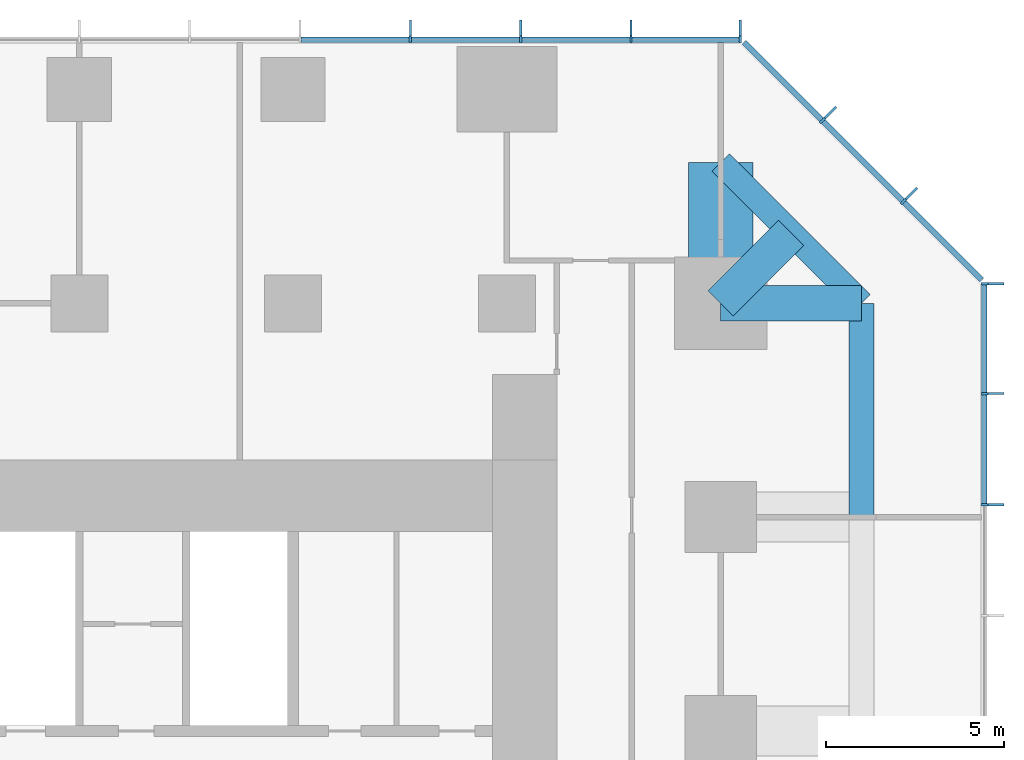
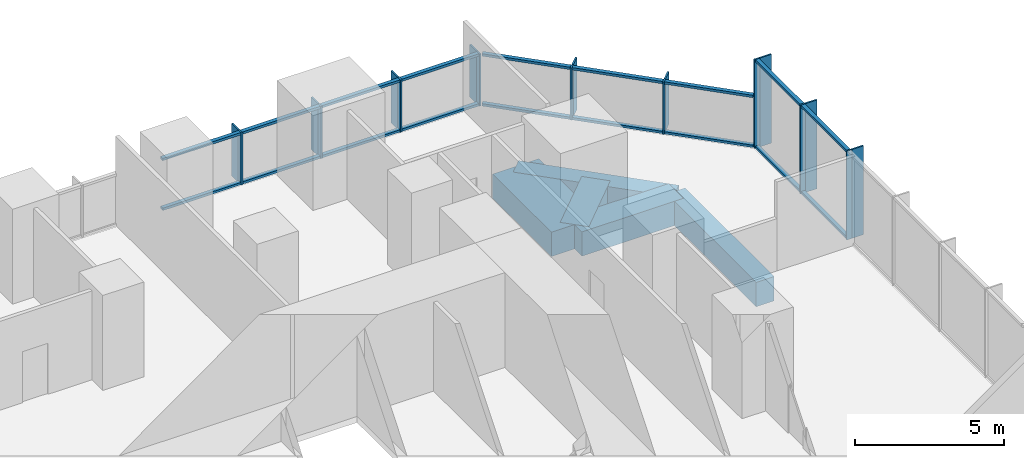
# One storey, part 7 of 12: 36 members, 5 beams, 3 elements without a shape of their own.
"""IFC4 building model written with IfcOpenShell, lengths in metres."""

from ifc_helpers import new_model, si_unit, direction, frame, origin, origin_2d, place, context, subcontext, project, spatial, rectangle, extrude, material, layer, layer_set, material_profile, profile_set, type_object, element, aggregate, save


model = new_model("IFC4")

# Units and contexts
model_context = context("Model", 3, precision=1e-05, world=origin(), true_north=direction((0.0, 1.0)))
body_context = subcontext(model_context, "Body", "Model", "MODEL_VIEW")
ifc_project = project(units=[si_unit("LENGTHUNIT", "METRE"), si_unit("AREAUNIT", "SQUARE_METRE"), si_unit("VOLUMEUNIT", "CUBIC_METRE"), si_unit("PLANEANGLEUNIT", "RADIAN"), si_unit("MASSUNIT", "GRAM", prefix="KILO")], contexts=[model_context])

# Site, building, storey
site_placement = place(None, origin())
site = spatial("IfcSite", under=ifc_project, at=site_placement, CompositionType="ELEMENT")
building_placement = place(site_placement, origin())
building = spatial("IfcBuilding", under=site, at=building_placement, Name="Highveld Stack Headquarters", CompositionType="ELEMENT")
storey_placement = place(building_placement, frame((0.0, 0.0, 160.10009765625)))
storey = spatial("IfcBuildingStorey", under=building, at=storey_placement, Name="L39", CompositionType="ELEMENT", Elevation=160.10009765625)

# Beams
ifc_material_1 = material(Name="Concrete C60/75", Category="concrete")
ifc_material_profile_1 = material_profile(ifc_material_1, rectangle(XDim=1.0, YDim=1.0, at=origin_2d()), Name="RC 1000x1000")
ifc_profile_set_1 = profile_set([ifc_material_profile_1], Name="Concrete C60/75")
beam_type_1 = type_object("IfcBeamType", Name="CANTILEVER RIB RC 1000x1000", PredefinedType="USERDEFINED", material=ifc_profile_set_1)
beam_1_placement = place(storey_placement, frame((24.0, 18.0, -0.75), z_axis=(1.0, 0.0, 0.0), x_axis=(0.0, 1.0, 0.0)))
element("IfcBeam", 1, at=beam_1_placement, inside=storey, type_object=beam_type_1, Name="Cantilever rib 10/H L39", ObjectType="CANTILEVER RIB", PredefinedType="USERDEFINED", context=body_context, shape_type="SweptSolid", body=[
    extrude(rectangle(XDim=1.0, YDim=1.0, at=origin_2d()), origin(), (0.0, 0.0, 1.0), 3.949951171875),
])
beam_2_placement = place(storey_placement, frame((24.0, 18.0, -0.75), z_axis=(0.707106781187, 0.707106781187, 0.0), x_axis=(-0.707106781187, 0.707106781187, 0.0)))
element("IfcBeam", 2, at=beam_2_placement, inside=storey, type_object=beam_type_1, Name="Cantilever rib 10/H L39", ObjectType="CANTILEVER RIB", PredefinedType="USERDEFINED", context=body_context, shape_type="SweptSolid", body=[
    extrude(rectangle(XDim=1.0, YDim=1.0, at=origin_2d()), origin(), (0.0, 0.0, 1.0), 2.793212890625),
])
ifc_material_2 = material(Name="Concrete C60/75", Category="concrete")
ifc_material_profile_2 = material_profile(ifc_material_2, rectangle(XDim=1.800048828125, YDim=1.0, at=origin_2d()), Name="RC 1800x1000")
ifc_profile_set_2 = profile_set([ifc_material_profile_2], Name="Concrete C60/75")
beam_type_2 = type_object("IfcBeamType", Name="CANTILEVER RIB RC 1800x1000", PredefinedType="USERDEFINED", material=ifc_profile_set_2)
beam_3_placement = place(storey_placement, frame((24.0, 18.0, -0.75), z_axis=(0.0, 1.0, 0.0), x_axis=(-1.0, 0.0, 0.0)))
element("IfcBeam", 3, at=beam_3_placement, inside=storey, type_object=beam_type_2, Name="Cantilever rib 10/H L39", ObjectType="CANTILEVER RIB", PredefinedType="USERDEFINED", context=body_context, shape_type="SweptSolid", body=[
    extrude(rectangle(XDim=1.800048828125, YDim=1.0, at=origin_2d()), origin(), (0.0, 0.0, 1.0), 3.949951171875),
])

# Curtain wall, members
ifc_material_3 = material(Name="Aluminium bronze anodised", Category="aluminium")
ifc_layer_1 = layer(ifc_material_3, 0.199951171875)
ifc_layer_set_1 = layer_set([ifc_layer_1], Name="Aluminium bronze anodised")
curtain_wall_type_1 = type_object("IfcCurtainWallType", Name="CW1 TOWER UNITISED CURTAIN WALL", PredefinedType="NOTDEFINED", material=ifc_layer_set_1)
curtain_wall_1_placement = place(storey_placement, origin())
curtain_wall_1 = element("IfcCurtainWall", 4, at=curtain_wall_1_placement, inside=storey, type_object=curtain_wall_type_1, Name="Curtain wall CW1 L39 E", PredefinedType="NOTDEFINED")
ifc_material_4 = material(Name="Aluminium bronze anodised", Category="aluminium")
ifc_material_profile_3 = material_profile(ifc_material_4, rectangle(XDim=0.449951171875, YDim=0.06005859375, at=origin_2d()), Name="FIN 450x60")
ifc_profile_set_3 = profile_set([ifc_material_profile_3], Name="Aluminium bronze anodised")
member_type_1 = type_object("IfcMemberType", Name="CW1 BRONZE FIN 450x60", PredefinedType="USERDEFINED", material=ifc_profile_set_3)
member_1_placement = place(storey_placement, frame((31.72509765625, 12.347900390625, 0.0), z_axis=(0.0, 0.0, 1.0), x_axis=(-1.0, 0.0, 0.0)))
member_1 = element("IfcMember", 5, at=member_1_placement, type_object=member_type_1, Name="CW1 fin L39 9", ObjectType="FIN", PredefinedType="USERDEFINED", context=body_context, shape_type="SweptSolid", body=[
    extrude(rectangle(XDim=0.449951171875, YDim=0.06005859375, at=origin_2d()), origin(), (0.0, 0.0, 1.0), 3.64990234375),
])
member_2_placement = place(storey_placement, frame((31.72509765625, 15.4638671875, 0.0), z_axis=(0.0, 0.0, 1.0), x_axis=(-1.0, 0.0, 0.0)))
member_2 = element("IfcMember", 6, at=member_2_placement, type_object=member_type_1, Name="CW1 fin L39 10", ObjectType="FIN", PredefinedType="USERDEFINED", context=body_context, shape_type="SweptSolid", body=[
    extrude(rectangle(XDim=0.449951171875, YDim=0.06005859375, at=origin_2d()), origin(), (0.0, 0.0, 1.0), 3.64990234375),
])
member_3_placement = place(storey_placement, frame((31.72509765625, 18.54736328125, 0.0), z_axis=(0.0, 0.0, 1.0), x_axis=(-1.0, 0.0, 0.0)))
member_3 = element("IfcMember", 7, at=member_3_placement, type_object=member_type_1, Name="CW1 fin L39 11", ObjectType="FIN", PredefinedType="USERDEFINED", context=body_context, shape_type="SweptSolid", body=[
    extrude(rectangle(XDim=0.449951171875, YDim=0.06005859375, at=origin_2d()), origin(), (0.0, 0.0, 1.0), 3.64990234375),
])

curtain_wall_2_placement = place(storey_placement, origin())
curtain_wall_2 = element("IfcCurtainWall", 8, at=curtain_wall_2_placement, inside=storey, type_object=curtain_wall_type_1, Name="Curtain wall CW1 L39 N", PredefinedType="NOTDEFINED")
member_4_placement = place(storey_placement, frame((24.54736328125, 25.72509765625, 0.0), z_axis=(0.0, 0.0, 1.0), x_axis=(0.0, -1.0, 0.0)))
member_4 = element("IfcMember", 9, at=member_4_placement, type_object=member_type_1, Name="CW1 fin L39 1", ObjectType="FIN", PredefinedType="USERDEFINED", context=body_context, shape_type="SweptSolid", body=[
    extrude(rectangle(XDim=0.449951171875, YDim=0.06005859375, at=origin_2d()), origin(), (0.0, 0.0, 1.0), 2.14990234375),
])
member_5_placement = place(storey_placement, frame((21.483154296875, 25.72509765625, 0.0), z_axis=(0.0, 0.0, 1.0), x_axis=(0.0, -1.0, 0.0)))
member_5 = element("IfcMember", 10, at=member_5_placement, type_object=member_type_1, Name="CW1 fin L39 2", ObjectType="FIN", PredefinedType="USERDEFINED", context=body_context, shape_type="SweptSolid", body=[
    extrude(rectangle(XDim=0.449951171875, YDim=0.06005859375, at=origin_2d()), origin(), (0.0, 0.0, 1.0), 2.14990234375),
])
member_6_placement = place(storey_placement, frame((18.38671875, 25.72509765625, 0.0), z_axis=(0.0, 0.0, 1.0), x_axis=(0.0, -1.0, 0.0)))
member_6 = element("IfcMember", 11, at=member_6_placement, type_object=member_type_1, Name="CW1 fin L39 3", ObjectType="FIN", PredefinedType="USERDEFINED", context=body_context, shape_type="SweptSolid", body=[
    extrude(rectangle(XDim=0.449951171875, YDim=0.06005859375, at=origin_2d()), origin(), (0.0, 0.0, 1.0), 2.14990234375),
])
member_7_placement = place(storey_placement, frame((15.289794921875, 25.72509765625, 0.0), z_axis=(0.0, 0.0, 1.0), x_axis=(0.0, -1.0, 0.0)))
member_7 = element("IfcMember", 12, at=member_7_placement, type_object=member_type_1, Name="CW1 fin L39 4", ObjectType="FIN", PredefinedType="USERDEFINED", context=body_context, shape_type="SweptSolid", body=[
    extrude(rectangle(XDim=0.449951171875, YDim=0.06005859375, at=origin_2d()), origin(), (0.0, 0.0, 1.0), 2.14990234375),
])

# Member
ifc_material_5 = material(Name="Aluminium bronze anodised", Category="aluminium")
ifc_material_profile_4 = material_profile(ifc_material_5, rectangle(XDim=0.199951171875, YDim=0.06494140625, at=origin_2d()), Name="CW1 MULLION 65x200")
ifc_profile_set_4 = profile_set([ifc_material_profile_4], Name="Aluminium bronze anodised")
member_type_2 = type_object("IfcMemberType", Name="CW1 MULLION 65x200", PredefinedType="MULLION", material=ifc_profile_set_4)
member_8_placement = place(storey_placement, frame((31.39990234375, 12.347900390625, 0.0), z_axis=(0.0, 0.0, 1.0), x_axis=(-1.0, 0.0, 0.0)))
member_8 = element("IfcMember", 13, at=member_8_placement, type_object=member_type_2, Name="CW1 mullion L39 9", PredefinedType="MULLION", context=body_context, shape_type="SweptSolid", body=[
    extrude(rectangle(XDim=0.199951171875, YDim=0.06494140625, at=origin_2d()), origin(), (0.0, 0.0, 1.0), 3.64990234375),
])

member_9_placement = place(storey_placement, frame((31.39990234375, 15.4638671875, 0.0), z_axis=(0.0, 0.0, 1.0), x_axis=(-1.0, 0.0, 0.0)))
member_9 = element("IfcMember", 14, at=member_9_placement, type_object=member_type_2, Name="CW1 mullion L39 10", PredefinedType="MULLION", context=body_context, shape_type="SweptSolid", body=[
    extrude(rectangle(XDim=0.199951171875, YDim=0.06494140625, at=origin_2d()), origin(), (0.0, 0.0, 1.0), 3.64990234375),
])

member_10_placement = place(storey_placement, frame((31.39990234375, 18.54736328125, 0.0), z_axis=(0.0, 0.0, 1.0), x_axis=(-1.0, 0.0, 0.0)))
member_10 = element("IfcMember", 15, at=member_10_placement, type_object=member_type_2, Name="CW1 mullion L39 11", PredefinedType="MULLION", context=body_context, shape_type="SweptSolid", body=[
    extrude(rectangle(XDim=0.199951171875, YDim=0.06494140625, at=origin_2d()), origin(), (0.0, 0.0, 1.0), 3.64990234375),
])

member_11_placement = place(storey_placement, frame((24.54736328125, 25.39990234375, 0.0), z_axis=(0.0, 0.0, 1.0), x_axis=(0.0, -1.0, 0.0)))
member_11 = element("IfcMember", 16, at=member_11_placement, type_object=member_type_2, Name="CW1 mullion L39 1", PredefinedType="MULLION", context=body_context, shape_type="SweptSolid", body=[
    extrude(rectangle(XDim=0.199951171875, YDim=0.06494140625, at=origin_2d()), origin(), (0.0, 0.0, 1.0), 2.14990234375),
])

member_12_placement = place(storey_placement, frame((21.483154296875, 25.39990234375, 0.0), z_axis=(0.0, 0.0, 1.0), x_axis=(0.0, -1.0, 0.0)))
member_12 = element("IfcMember", 17, at=member_12_placement, type_object=member_type_2, Name="CW1 mullion L39 2", PredefinedType="MULLION", context=body_context, shape_type="SweptSolid", body=[
    extrude(rectangle(XDim=0.199951171875, YDim=0.06494140625, at=origin_2d()), origin(), (0.0, 0.0, 1.0), 2.14990234375),
])

member_13_placement = place(storey_placement, frame((18.38671875, 25.39990234375, 0.0), z_axis=(0.0, 0.0, 1.0), x_axis=(0.0, -1.0, 0.0)))
member_13 = element("IfcMember", 18, at=member_13_placement, type_object=member_type_2, Name="CW1 mullion L39 3", PredefinedType="MULLION", context=body_context, shape_type="SweptSolid", body=[
    extrude(rectangle(XDim=0.199951171875, YDim=0.06494140625, at=origin_2d()), origin(), (0.0, 0.0, 1.0), 2.14990234375),
])

member_14_placement = place(storey_placement, frame((15.289794921875, 25.39990234375, 0.0), z_axis=(0.0, 0.0, 1.0), x_axis=(0.0, -1.0, 0.0)))
member_14 = element("IfcMember", 19, at=member_14_placement, type_object=member_type_2, Name="CW1 mullion L39 4", PredefinedType="MULLION", context=body_context, shape_type="SweptSolid", body=[
    extrude(rectangle(XDim=0.199951171875, YDim=0.06494140625, at=origin_2d()), origin(), (0.0, 0.0, 1.0), 2.14990234375),
])

ifc_material_6 = material(Name="Aluminium bronze anodised", Category="aluminium")
ifc_material_profile_5 = material_profile(ifc_material_6, rectangle(XDim=0.14990234375, YDim=0.10009765625, at=origin_2d()), Name="CW1 TRANSOM 150x100")
ifc_profile_set_5 = profile_set([ifc_material_profile_5], Name="Aluminium bronze anodised")
member_type_3 = type_object("IfcMemberType", Name="CW1 STACK TRANSOM 150x100", PredefinedType="USERDEFINED", material=ifc_profile_set_5)
member_15_placement = place(storey_placement, frame((31.39990234375, 12.38037109375, 0.0498046875), z_axis=(0.0, 1.0, 0.0), x_axis=(-1.0, 0.0, 0.0)))
member_15 = element("IfcMember", 20, at=member_15_placement, type_object=member_type_3, Name="CW1 transom L39 9.1", ObjectType="TRANSOM", PredefinedType="USERDEFINED", context=body_context, shape_type="SweptSolid", body=[
    extrude(rectangle(XDim=0.14990234375, YDim=0.10009765625, at=origin_2d()), origin(), (0.0, 0.0, 1.0), 3.051025390625),
])

member_16_placement = place(storey_placement, frame((31.39990234375, 12.38037109375, 3.599853515625), z_axis=(0.0, 1.0, 0.0), x_axis=(-1.0, 0.0, 0.0)))
member_16 = element("IfcMember", 21, at=member_16_placement, type_object=member_type_3, Name="CW1 transom L39 9.2", ObjectType="TRANSOM", PredefinedType="USERDEFINED", context=body_context, shape_type="SweptSolid", body=[
    extrude(rectangle(XDim=0.14990234375, YDim=0.10009765625, at=origin_2d()), origin(), (0.0, 0.0, 1.0), 3.051025390625),
])

member_17_placement = place(storey_placement, frame((31.39990234375, 15.496337890625, 0.0498046875), z_axis=(0.0, 1.0, 0.0), x_axis=(-1.0, 0.0, 0.0)))
member_17 = element("IfcMember", 22, at=member_17_placement, type_object=member_type_3, Name="CW1 transom L39 10.1", ObjectType="TRANSOM", PredefinedType="USERDEFINED", context=body_context, shape_type="SweptSolid", body=[
    extrude(rectangle(XDim=0.14990234375, YDim=0.10009765625, at=origin_2d()), origin(), (0.0, 0.0, 1.0), 3.0185546875),
])

member_18_placement = place(storey_placement, frame((31.39990234375, 15.496337890625, 3.599853515625), z_axis=(0.0, 1.0, 0.0), x_axis=(-1.0, 0.0, 0.0)))
member_18 = element("IfcMember", 23, at=member_18_placement, type_object=member_type_3, Name="CW1 transom L39 10.2", ObjectType="TRANSOM", PredefinedType="USERDEFINED", context=body_context, shape_type="SweptSolid", body=[
    extrude(rectangle(XDim=0.14990234375, YDim=0.10009765625, at=origin_2d()), origin(), (0.0, 0.0, 1.0), 3.0185546875),
])

aggregate(curtain_wall_1, [member_8, member_1, member_9, member_2, member_10, member_3, member_15, member_16, member_17, member_18])

member_19_placement = place(storey_placement, frame((24.514892578125, 25.39990234375, 0.0498046875), z_axis=(-1.0, 0.0, 0.0), x_axis=(0.0, -1.0, 0.0)))
member_19 = element("IfcMember", 24, at=member_19_placement, type_object=member_type_3, Name="CW1 transom L39 1.1", ObjectType="TRANSOM", PredefinedType="USERDEFINED", context=body_context, shape_type="SweptSolid", body=[
    extrude(rectangle(XDim=0.14990234375, YDim=0.10009765625, at=origin_2d()), origin(), (0.0, 0.0, 1.0), 2.999267578125),
])

member_20_placement = place(storey_placement, frame((24.514892578125, 25.39990234375, 2.099853515625), z_axis=(-1.0, 0.0, 0.0), x_axis=(0.0, -1.0, 0.0)))
member_20 = element("IfcMember", 25, at=member_20_placement, type_object=member_type_3, Name="CW1 transom L39 1.2", ObjectType="TRANSOM", PredefinedType="USERDEFINED", context=body_context, shape_type="SweptSolid", body=[
    extrude(rectangle(XDim=0.14990234375, YDim=0.10009765625, at=origin_2d()), origin(), (0.0, 0.0, 1.0), 2.999267578125),
])

member_21_placement = place(storey_placement, frame((21.45068359375, 25.39990234375, 0.0498046875), z_axis=(-1.0, 0.0, 0.0), x_axis=(0.0, -1.0, 0.0)))
member_21 = element("IfcMember", 26, at=member_21_placement, type_object=member_type_3, Name="CW1 transom L39 2.1", ObjectType="TRANSOM", PredefinedType="USERDEFINED", context=body_context, shape_type="SweptSolid", body=[
    extrude(rectangle(XDim=0.14990234375, YDim=0.10009765625, at=origin_2d()), origin(), (0.0, 0.0, 1.0), 3.031494140625),
])

member_22_placement = place(storey_placement, frame((21.45068359375, 25.39990234375, 2.099853515625), z_axis=(-1.0, 0.0, 0.0), x_axis=(0.0, -1.0, 0.0)))
member_22 = element("IfcMember", 27, at=member_22_placement, type_object=member_type_3, Name="CW1 transom L39 2.2", ObjectType="TRANSOM", PredefinedType="USERDEFINED", context=body_context, shape_type="SweptSolid", body=[
    extrude(rectangle(XDim=0.14990234375, YDim=0.10009765625, at=origin_2d()), origin(), (0.0, 0.0, 1.0), 3.031494140625),
])

member_23_placement = place(storey_placement, frame((18.35400390625, 25.39990234375, 0.0498046875), z_axis=(-1.0, 0.0, 0.0), x_axis=(0.0, -1.0, 0.0)))
member_23 = element("IfcMember", 28, at=member_23_placement, type_object=member_type_3, Name="CW1 transom L39 3.1", ObjectType="TRANSOM", PredefinedType="USERDEFINED", context=body_context, shape_type="SweptSolid", body=[
    extrude(rectangle(XDim=0.14990234375, YDim=0.10009765625, at=origin_2d()), origin(), (0.0, 0.0, 1.0), 3.031494140625),
])

member_24_placement = place(storey_placement, frame((18.35400390625, 25.39990234375, 2.099853515625), z_axis=(-1.0, 0.0, 0.0), x_axis=(0.0, -1.0, 0.0)))
member_24 = element("IfcMember", 29, at=member_24_placement, type_object=member_type_3, Name="CW1 transom L39 3.2", ObjectType="TRANSOM", PredefinedType="USERDEFINED", context=body_context, shape_type="SweptSolid", body=[
    extrude(rectangle(XDim=0.14990234375, YDim=0.10009765625, at=origin_2d()), origin(), (0.0, 0.0, 1.0), 3.031494140625),
])

member_25_placement = place(storey_placement, frame((15.25732421875, 25.39990234375, 0.0498046875), z_axis=(-1.0, 0.0, 0.0), x_axis=(0.0, -1.0, 0.0)))
member_25 = element("IfcMember", 30, at=member_25_placement, type_object=member_type_3, Name="CW1 transom L39 4.1", ObjectType="TRANSOM", PredefinedType="USERDEFINED", context=body_context, shape_type="SweptSolid", body=[
    extrude(rectangle(XDim=0.14990234375, YDim=0.10009765625, at=origin_2d()), origin(), (0.0, 0.0, 1.0), 3.031494140625),
])

member_26_placement = place(storey_placement, frame((15.25732421875, 25.39990234375, 2.099853515625), z_axis=(-1.0, 0.0, 0.0), x_axis=(0.0, -1.0, 0.0)))
member_26 = element("IfcMember", 31, at=member_26_placement, type_object=member_type_3, Name="CW1 transom L39 4.2", ObjectType="TRANSOM", PredefinedType="USERDEFINED", context=body_context, shape_type="SweptSolid", body=[
    extrude(rectangle(XDim=0.14990234375, YDim=0.10009765625, at=origin_2d()), origin(), (0.0, 0.0, 1.0), 3.031494140625),
])

aggregate(curtain_wall_2, [member_11, member_4, member_12, member_5, member_13, member_6, member_14, member_7, member_19, member_20, member_21, member_22, member_23, member_24, member_25, member_26])

# Curtain wall, members
ifc_material_7 = material(Name="Aluminium bronze anodised", Category="aluminium")
ifc_layer_2 = layer(ifc_material_7, 0.199951171875)
ifc_layer_set_2 = layer_set([ifc_layer_2], Name="Aluminium bronze anodised")
curtain_wall_type_2 = type_object("IfcCurtainWallType", Name="CW2 TOWER CHAMFER UNITISED CURTAIN WALL", PredefinedType="NOTDEFINED", material=ifc_layer_set_2)
curtain_wall_3_placement = place(storey_placement, origin())
curtain_wall_3 = element("IfcCurtainWall", 32, at=curtain_wall_3_placement, inside=storey, type_object=curtain_wall_type_2, Name="Curtain wall CW2 L39 NE", PredefinedType="NOTDEFINED")
ifc_material_8 = material(Name="Aluminium bronze anodised", Category="aluminium")
ifc_material_profile_6 = material_profile(ifc_material_8, rectangle(XDim=0.449951171875, YDim=0.06005859375, at=origin_2d()), Name="FIN 450x60")
ifc_profile_set_6 = profile_set([ifc_material_profile_6], Name="Aluminium bronze anodised")
member_type_4 = type_object("IfcMemberType", Name="CW2 BRONZE FIN 450x60", PredefinedType="USERDEFINED", material=ifc_profile_set_6)
member_27_placement = place(storey_placement, frame((29.3564453125, 21.0830078125, 0.0), z_axis=(0.0, 0.0, 1.0), x_axis=(-0.707106781187, -0.707106781187, 0.0)))
member_27 = element("IfcMember", 33, at=member_27_placement, type_object=member_type_4, Name="CW2 fin L39 1", ObjectType="FIN", PredefinedType="USERDEFINED", context=body_context, shape_type="SweptSolid", body=[
    extrude(rectangle(XDim=0.449951171875, YDim=0.06005859375, at=origin_2d()), origin(), (0.0, 0.0, 1.0), 2.14990234375),
])
member_28_placement = place(storey_placement, frame((27.0830078125, 23.3564453125, 0.0), z_axis=(0.0, 0.0, 1.0), x_axis=(-0.707106781187, -0.707106781187, 0.0)))
member_28 = element("IfcMember", 34, at=member_28_placement, type_object=member_type_4, Name="CW2 fin L39 2", ObjectType="FIN", PredefinedType="USERDEFINED", context=body_context, shape_type="SweptSolid", body=[
    extrude(rectangle(XDim=0.449951171875, YDim=0.06005859375, at=origin_2d()), origin(), (0.0, 0.0, 1.0), 2.14990234375),
])
ifc_material_9 = material(Name="Aluminium bronze anodised", Category="aluminium")
ifc_material_profile_7 = material_profile(ifc_material_9, rectangle(XDim=0.199951171875, YDim=0.06494140625, at=origin_2d()), Name="CW2 MULLION 65x200")
ifc_profile_set_7 = profile_set([ifc_material_profile_7], Name="Aluminium bronze anodised")
member_type_5 = type_object("IfcMemberType", Name="CW2 MULLION 65x200", PredefinedType="MULLION", material=ifc_profile_set_7)
member_29_placement = place(storey_placement, frame((29.126708984375, 20.853271484375, 0.0), z_axis=(0.0, 0.0, 1.0), x_axis=(-0.707106781187, -0.707106781187, 0.0)))
member_29 = element("IfcMember", 35, at=member_29_placement, type_object=member_type_5, Name="CW2 mullion L39 1", PredefinedType="MULLION", context=body_context, shape_type="SweptSolid", body=[
    extrude(rectangle(XDim=0.199951171875, YDim=0.06494140625, at=origin_2d()), origin(), (0.0, 0.0, 1.0), 2.14990234375),
])
member_30_placement = place(storey_placement, frame((26.853271484375, 23.126708984375, 0.0), z_axis=(0.0, 0.0, 1.0), x_axis=(-0.707106781187, -0.707106781187, 0.0)))
member_30 = element("IfcMember", 36, at=member_30_placement, type_object=member_type_5, Name="CW2 mullion L39 2", PredefinedType="MULLION", context=body_context, shape_type="SweptSolid", body=[
    extrude(rectangle(XDim=0.199951171875, YDim=0.06494140625, at=origin_2d()), origin(), (0.0, 0.0, 1.0), 2.14990234375),
])
ifc_material_10 = material(Name="Aluminium bronze anodised", Category="aluminium")
ifc_material_profile_8 = material_profile(ifc_material_10, rectangle(XDim=0.14990234375, YDim=0.10009765625, at=origin_2d()), Name="CW2 TRANSOM 150x100")
ifc_profile_set_8 = profile_set([ifc_material_profile_8], Name="Aluminium bronze anodised")
member_type_6 = type_object("IfcMemberType", Name="CW2 STACK TRANSOM 150x100", PredefinedType="USERDEFINED", material=ifc_profile_set_8)
member_31_placement = place(storey_placement, frame((31.329345703125, 18.650634765625, 0.0498046875), z_axis=(-0.707106781187, 0.707106781187, 0.0), x_axis=(-0.707106781187, -0.707106781187, 0.0)))
member_31 = element("IfcMember", 37, at=member_31_placement, type_object=member_type_6, Name="CW2 transom L39 1.1", ObjectType="TRANSOM", PredefinedType="USERDEFINED", context=body_context, shape_type="SweptSolid", body=[
    extrude(rectangle(XDim=0.14990234375, YDim=0.10009765625, at=origin_2d()), origin(), (0.0, 0.0, 1.0), 3.08251953125),
])
member_32_placement = place(storey_placement, frame((31.329345703125, 18.650634765625, 2.099853515625), z_axis=(-0.707106781187, 0.707106781187, 0.0), x_axis=(-0.707106781187, -0.707106781187, 0.0)))
member_32 = element("IfcMember", 38, at=member_32_placement, type_object=member_type_6, Name="CW2 transom L39 1.2", ObjectType="TRANSOM", PredefinedType="USERDEFINED", context=body_context, shape_type="SweptSolid", body=[
    extrude(rectangle(XDim=0.14990234375, YDim=0.10009765625, at=origin_2d()), origin(), (0.0, 0.0, 1.0), 3.08251953125),
])
member_33_placement = place(storey_placement, frame((29.103759765625, 20.876220703125, 0.0498046875), z_axis=(-0.707106781187, 0.707106781187, 0.0), x_axis=(-0.707106781187, -0.707106781187, 0.0)))
member_33 = element("IfcMember", 39, at=member_33_placement, type_object=member_type_6, Name="CW2 transom L39 2.1", ObjectType="TRANSOM", PredefinedType="USERDEFINED", context=body_context, shape_type="SweptSolid", body=[
    extrude(rectangle(XDim=0.14990234375, YDim=0.10009765625, at=origin_2d()), origin(), (0.0, 0.0, 1.0), 3.150146484375),
])
member_34_placement = place(storey_placement, frame((29.103759765625, 20.876220703125, 2.099853515625), z_axis=(-0.707106781187, 0.707106781187, 0.0), x_axis=(-0.707106781187, -0.707106781187, 0.0)))
member_34 = element("IfcMember", 40, at=member_34_placement, type_object=member_type_6, Name="CW2 transom L39 2.2", ObjectType="TRANSOM", PredefinedType="USERDEFINED", context=body_context, shape_type="SweptSolid", body=[
    extrude(rectangle(XDim=0.14990234375, YDim=0.10009765625, at=origin_2d()), origin(), (0.0, 0.0, 1.0), 3.150146484375),
])
member_35_placement = place(storey_placement, frame((26.830322265625, 23.149658203125, 0.0498046875), z_axis=(-0.707106781187, 0.707106781187, 0.0), x_axis=(-0.707106781187, -0.707106781187, 0.0)))
member_35 = element("IfcMember", 41, at=member_35_placement, type_object=member_type_6, Name="CW2 transom L39 3.1", ObjectType="TRANSOM", PredefinedType="USERDEFINED", context=body_context, shape_type="SweptSolid", body=[
    extrude(rectangle(XDim=0.14990234375, YDim=0.10009765625, at=origin_2d()), origin(), (0.0, 0.0, 1.0), 3.08251953125),
])
member_36_placement = place(storey_placement, frame((26.830322265625, 23.149658203125, 2.099853515625), z_axis=(-0.707106781187, 0.707106781187, 0.0), x_axis=(-0.707106781187, -0.707106781187, 0.0)))
member_36 = element("IfcMember", 42, at=member_36_placement, type_object=member_type_6, Name="CW2 transom L39 3.2", ObjectType="TRANSOM", PredefinedType="USERDEFINED", context=body_context, shape_type="SweptSolid", body=[
    extrude(rectangle(XDim=0.14990234375, YDim=0.10009765625, at=origin_2d()), origin(), (0.0, 0.0, 1.0), 3.08251953125),
])
aggregate(curtain_wall_3, [member_29, member_27, member_30, member_28, member_31, member_32, member_33, member_34, member_35, member_36])

# Beams
ifc_material_11 = material(Name="Concrete C60/75", Category="concrete")
ifc_material_profile_9 = material_profile(ifc_material_11, rectangle(XDim=0.699951171875, YDim=1.0, at=origin_2d()), Name="RC 700x1000")
ifc_profile_set_9 = profile_set([ifc_material_profile_9], Name="Concrete C60/75")
beam_type_3 = type_object("IfcBeamType", Name="RIB TIP BEAM RC 700x1000", PredefinedType="SPANDREL", material=ifc_profile_set_9)
beam_4_placement = place(storey_placement, frame((27.949951171875, 12.0, -0.75), z_axis=(0.0, 1.0, 0.0), x_axis=(-1.0, 0.0, 0.0)))
element("IfcBeam", 43, at=beam_4_placement, inside=storey, type_object=beam_type_3, Name="Rib tip beam 10/G to 10/H L39", PredefinedType="SPANDREL", context=body_context, shape_type="SweptSolid", body=[
    extrude(rectangle(XDim=0.699951171875, YDim=1.0, at=origin_2d()), origin(), (0.0, 0.0, 1.0), 6.0),
])
beam_5_placement = place(storey_placement, frame((27.949951171875, 18.0, -0.75), z_axis=(-0.707106781187, 0.707106781187, 0.0), x_axis=(-0.707106781187, -0.707106781187, 0.0)))
element("IfcBeam", 44, at=beam_5_placement, inside=storey, type_object=beam_type_3, Name="Rib tip beam 10/H corner L39", PredefinedType="SPANDREL", context=body_context, shape_type="SweptSolid", body=[
    extrude(rectangle(XDim=0.699951171875, YDim=1.0, at=origin_2d()), origin(), (0.0, 0.0, 1.0), 5.586181640625),
])

save(model, "model.ifc")
